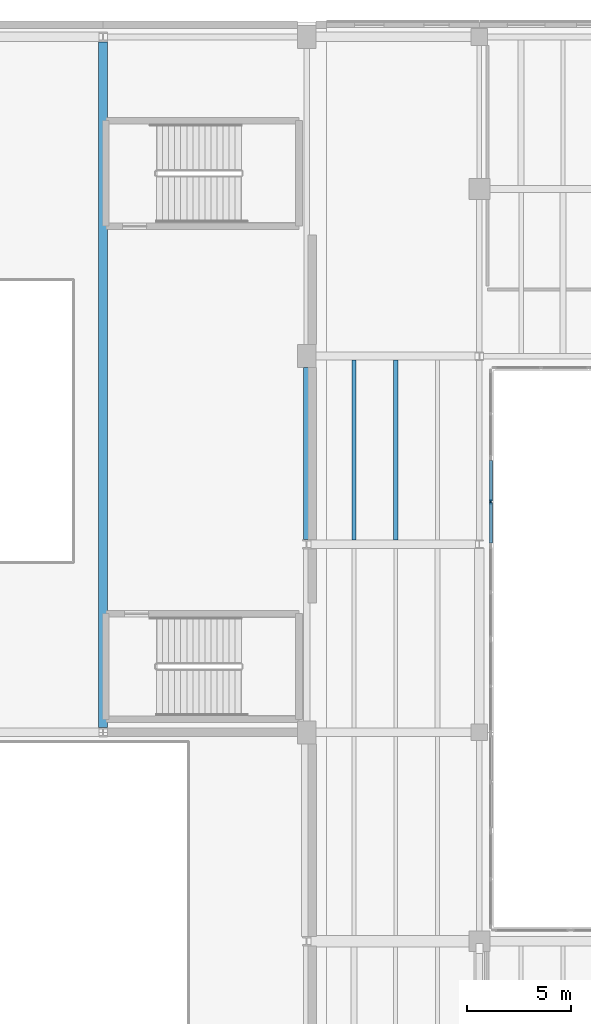
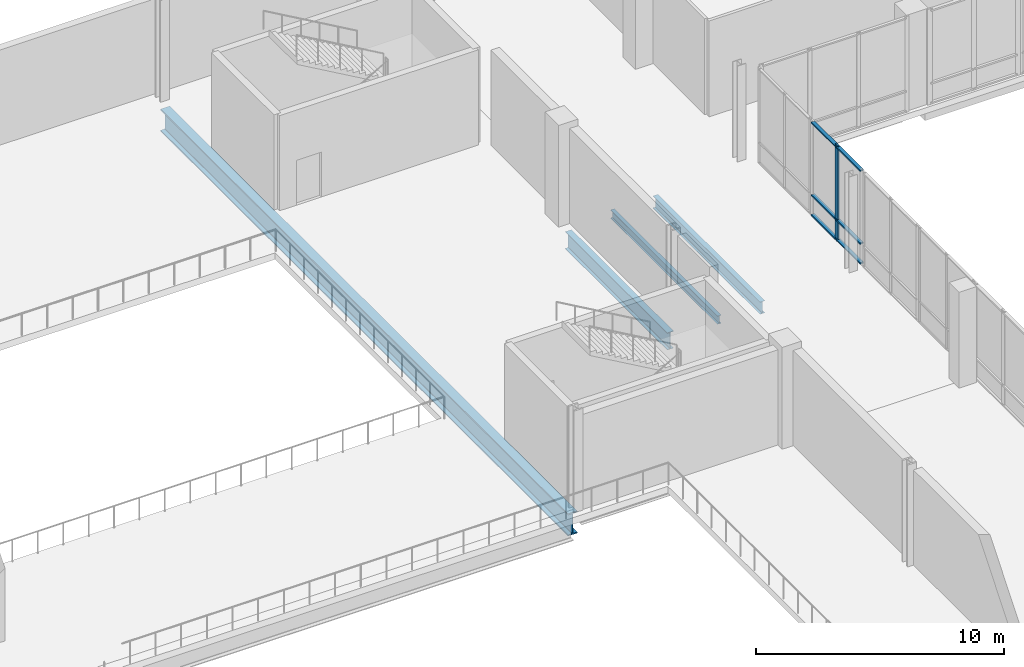
# One storey, part 37 of 73: 7 members, 4 beams, 1 element without a shape of its own.
"""IFC4 building model written with IfcOpenShell, lengths in metres."""

from ifc_helpers import new_model, si_unit, direction, frame, origin, origin_2d, place, context, subcontext, project, spatial, rectangle, i_section, extrude, material, material_profile, profile_set, type_object, element, aggregate, save


model = new_model("IFC4")

# Units and contexts
model_context = context("Model", 3, precision=1e-05, world=origin(), true_north=direction((0.0, 1.0)))
body_context = subcontext(model_context, "Body", "Model", "MODEL_VIEW")
ifc_project = project(units=[si_unit("LENGTHUNIT", "METRE"), si_unit("AREAUNIT", "SQUARE_METRE"), si_unit("VOLUMEUNIT", "CUBIC_METRE"), si_unit("PLANEANGLEUNIT", "RADIAN"), si_unit("MASSUNIT", "GRAM", prefix="KILO")], contexts=[model_context])

# Site, building, storey
site_placement = place(None, origin())
site = spatial("IfcSite", under=ifc_project, at=site_placement, CompositionType="ELEMENT")
building_placement = place(site_placement, origin())
building = spatial("IfcBuilding", under=site, at=building_placement, Name="Trimount Lyric Opera House", CompositionType="ELEMENT")
storey_placement = place(building_placement, frame((0.0, 0.0, 10.0)))
storey = spatial("IfcBuildingStorey", under=building, at=storey_placement, Name="L02", CompositionType="ELEMENT", Elevation=10.0)

# Beams
ifc_material_1 = material(Name="Steel ASTM A992 Grade 50", Category="steel")
ifc_material_profile_1 = material_profile(ifc_material_1, i_section(OverallWidth=0.2919921875, OverallDepth=0.845947265625, WebThickness=0.015380859375, FlangeThickness=0.0244140625, FilletRadius=0.01806640625, at=origin_2d()), Name="W33X141")
ifc_profile_set_1 = profile_set([ifc_material_profile_1], Name="Steel ASTM A992 Grade 50")
beam_type_1 = type_object("IfcBeamType", Name="B-05", PredefinedType="BEAM", material=ifc_profile_set_1)
beam_1_placement = place(storey_placement, frame((113.739990234375, 93.232421875, -0.748046875), z_axis=(0.0, 1.0, 0.0), x_axis=(-1.0, 0.0, 0.0)))
element("IfcBeam", 1, at=beam_1_placement, inside=storey, type_object=beam_type_1, Name="L02 girder Y-0893", PredefinedType="BEAM", context=body_context, shape_type="SweptSolid", body=[
    extrude(i_section(OverallWidth=0.2919921875, OverallDepth=0.845947265625, WebThickness=0.015380859375, FlangeThickness=0.0244140625, FilletRadius=0.01806640625, at=origin_2d()), origin(), (0.0, 0.0, 1.0), 8.217529296875),
])
ifc_material_2 = material(Name="Steel ASTM A992 Grade 50", Category="steel")
ifc_material_profile_2 = material_profile(ifc_material_2, i_section(OverallWidth=0.22802734375, OverallDepth=0.60205078125, WebThickness=0.010498046875, FlangeThickness=0.014892578125, FilletRadius=0.012939453125, at=origin_2d()), Name="W24X68")
ifc_profile_set_2 = profile_set([ifc_material_profile_2], Name="Steel ASTM A992 Grade 50")
beam_type_2 = type_object("IfcBeamType", Name="J-01", PredefinedType="BEAM", material=ifc_profile_set_2)
beam_2_placement = place(storey_placement, frame((118.0, 93.196533203125, -0.591064453125), z_axis=(0.0, 1.0, 0.0), x_axis=(-1.0, 0.0, 0.0)))
element("IfcBeam", 2, at=beam_2_placement, inside=storey, type_object=beam_type_2, Name="L02 composite floor joist 0921", PredefinedType="BEAM", context=body_context, shape_type="SweptSolid", body=[
    extrude(i_section(OverallWidth=0.22802734375, OverallDepth=0.60205078125, WebThickness=0.010498046875, FlangeThickness=0.014892578125, FilletRadius=0.012939453125, at=origin_2d()), origin(), (0.0, 0.0, 1.0), 8.616455078125),
])
ifc_material_3 = material(Name="Steel ASTM A992 Grade 50", Category="steel")
ifc_material_profile_3 = material_profile(ifc_material_3, i_section(OverallWidth=0.177978515625, OverallDepth=0.404052734375, WebThickness=0.007568359375, FlangeThickness=0.010986328125, FilletRadius=0.010009765625, at=origin_2d()), Name="W16X36")
ifc_profile_set_3 = profile_set([ifc_material_profile_3], Name="Steel ASTM A992 Grade 50")
beam_type_3 = type_object("IfcBeamType", Name="J-06", PredefinedType="BEAM", material=ifc_profile_set_3)
beam_3_placement = place(storey_placement, frame((116.0, 93.196533203125, -0.491943359375), z_axis=(0.0, 1.0, 0.0), x_axis=(-1.0, 0.0, 0.0)))
element("IfcBeam", 3, at=beam_3_placement, inside=storey, type_object=beam_type_3, Name="L02 composite floor joist 0920", PredefinedType="BEAM", context=body_context, shape_type="SweptSolid", body=[
    extrude(i_section(OverallWidth=0.177978515625, OverallDepth=0.404052734375, WebThickness=0.007568359375, FlangeThickness=0.010986328125, FilletRadius=0.010009765625, at=origin_2d()), origin(), (0.0, 0.0, 1.0), 8.616455078125),
])

# Curtain wall, member
ifc_material_4 = material(Name="Thermally Broken Aluminium and Low-E Glass", Category="aluminium")
curtain_wall_type = type_object("IfcCurtainWallType", Name="CW-03", PredefinedType="NOTDEFINED", material=ifc_material_4)
curtain_wall_placement = place(storey_placement, origin())
curtain_wall = element("IfcCurtainWall", 4, at=curtain_wall_placement, inside=storey, type_object=curtain_wall_type, Name="L02 curtain wall 240", PredefinedType="NOTDEFINED")
ifc_material_5 = material(Name="Anodised Aluminium 6063-T6", Category="aluminium")
ifc_material_profile_4 = material_profile(ifc_material_5, rectangle(XDim=0.070068359375, YDim=0.219970703125, at=origin_2d()), Name="ALU-MULL-70X220")
ifc_profile_set_4 = profile_set([ifc_material_profile_4], Name="Anodised Aluminium 6063-T6")
member_type_1 = type_object("IfcMemberType", Name="ML-01", PredefinedType="MULLION", material=ifc_profile_set_4)
member_1_placement = place(storey_placement, frame((122.5400390625, 95.034912109375, 0.0), z_axis=(0.0, 0.0, 1.0), x_axis=(1.0, 0.0, 0.0)))
member_1 = element("IfcMember", 5, at=member_1_placement, type_object=member_type_1, Name="CW-03 mullion 2", PredefinedType="MULLION", context=body_context, shape_type="SweptSolid", body=[
    extrude(rectangle(XDim=0.070068359375, YDim=0.219970703125, at=origin_2d()), origin(), (0.0, 0.0, 1.0), 4.7099609375),
])

# Beam
ifc_material_6 = material(Name="Steel ASTM A992 Grade 50", Category="steel")
ifc_material_profile_5 = material_profile(ifc_material_6, i_section(OverallWidth=0.427001953125, OverallDepth=1.092041015625, WebThickness=0.031005859375, FlangeThickness=0.055908203125, FilletRadius=0.02490234375, at=origin_2d()), Name="W40X397")
ifc_profile_set_5 = profile_set([ifc_material_profile_5], Name="Steel ASTM A992 Grade 50")
beam_type_4 = type_object("IfcBeamType", Name="TG-02", PredefinedType="USERDEFINED", material=ifc_profile_set_5)
beam_4_placement = place(storey_placement, frame((104.0, 84.232421875, -0.87109375), z_axis=(0.0, 1.0, 0.0), x_axis=(-1.0, 0.0, 0.0)))
element("IfcBeam", 6, at=beam_4_placement, inside=storey, type_object=beam_type_4, Name="L02 girder Y-0886", ObjectType="TRANSFER_GIRDER", PredefinedType="USERDEFINED", context=body_context, shape_type="SweptSolid", body=[
    extrude(i_section(OverallWidth=0.427001953125, OverallDepth=1.092041015625, WebThickness=0.031005859375, FlangeThickness=0.055908203125, FilletRadius=0.02490234375, at=origin_2d()), origin(), (0.0, 0.0, 1.0), 32.815185546875),
])

# Member
ifc_material_7 = material(Name="Anodised Aluminium 6063-T6", Category="aluminium")
ifc_material_profile_6 = material_profile(ifc_material_7, rectangle(XDim=0.159912109375, YDim=0.070068359375, at=origin_2d()), Name="ALU-TRAN-70X160")
ifc_profile_set_6 = profile_set([ifc_material_profile_6], Name="Anodised Aluminium 6063-T6")
member_type_2 = type_object("IfcMemberType", Name="TR-01", PredefinedType="USERDEFINED", material=ifc_profile_set_6)
member_2_placement = place(storey_placement, frame((122.5400390625, 97.0, 0.080078125), z_axis=(0.0, -1.0, 0.0), x_axis=(1.0, 0.0, 0.0)))
member_2 = element("IfcMember", 7, at=member_2_placement, type_object=member_type_2, Name="CW-03 transom 1.1", ObjectType="TRANSOM", PredefinedType="USERDEFINED", context=body_context, shape_type="SweptSolid", body=[
    extrude(rectangle(XDim=0.159912109375, YDim=0.070068359375, at=origin_2d()), origin(), (0.0, 0.0, 1.0), 1.929931640625),
])

member_3_placement = place(storey_placement, frame((122.5400390625, 97.0, 1.050048828125), z_axis=(0.0, -1.0, 0.0), x_axis=(1.0, 0.0, 0.0)))
member_3 = element("IfcMember", 8, at=member_3_placement, type_object=member_type_2, Name="CW-03 transom 1.2", ObjectType="TRANSOM", PredefinedType="USERDEFINED", context=body_context, shape_type="SweptSolid", body=[
    extrude(rectangle(XDim=0.159912109375, YDim=0.070068359375, at=origin_2d()), origin(), (0.0, 0.0, 1.0), 1.929931640625),
])

member_4_placement = place(storey_placement, frame((122.5400390625, 97.0, 4.6298828125), z_axis=(0.0, -1.0, 0.0), x_axis=(1.0, 0.0, 0.0)))
member_4 = element("IfcMember", 9, at=member_4_placement, type_object=member_type_2, Name="CW-03 transom 1.3", ObjectType="TRANSOM", PredefinedType="USERDEFINED", context=body_context, shape_type="SweptSolid", body=[
    extrude(rectangle(XDim=0.159912109375, YDim=0.070068359375, at=origin_2d()), origin(), (0.0, 0.0, 1.0), 1.929931640625),
])

member_5_placement = place(storey_placement, frame((122.5400390625, 95.0, 0.080078125), z_axis=(0.0, -1.0, 0.0), x_axis=(1.0, 0.0, 0.0)))
member_5 = element("IfcMember", 10, at=member_5_placement, type_object=member_type_2, Name="CW-03 transom 2.1", ObjectType="TRANSOM", PredefinedType="USERDEFINED", context=body_context, shape_type="SweptSolid", body=[
    extrude(rectangle(XDim=0.159912109375, YDim=0.070068359375, at=origin_2d()), origin(), (0.0, 0.0, 1.0), 1.929931640625),
])

member_6_placement = place(storey_placement, frame((122.5400390625, 95.0, 1.050048828125), z_axis=(0.0, -1.0, 0.0), x_axis=(1.0, 0.0, 0.0)))
member_6 = element("IfcMember", 11, at=member_6_placement, type_object=member_type_2, Name="CW-03 transom 2.2", ObjectType="TRANSOM", PredefinedType="USERDEFINED", context=body_context, shape_type="SweptSolid", body=[
    extrude(rectangle(XDim=0.159912109375, YDim=0.070068359375, at=origin_2d()), origin(), (0.0, 0.0, 1.0), 1.929931640625),
])

member_7_placement = place(storey_placement, frame((122.5400390625, 95.0, 4.6298828125), z_axis=(0.0, -1.0, 0.0), x_axis=(1.0, 0.0, 0.0)))
member_7 = element("IfcMember", 12, at=member_7_placement, type_object=member_type_2, Name="CW-03 transom 2.3", ObjectType="TRANSOM", PredefinedType="USERDEFINED", context=body_context, shape_type="SweptSolid", body=[
    extrude(rectangle(XDim=0.159912109375, YDim=0.070068359375, at=origin_2d()), origin(), (0.0, 0.0, 1.0), 1.929931640625),
])

aggregate(curtain_wall, [member_1, member_2, member_3, member_4, member_5, member_6, member_7])

save(model, "model.ifc")
